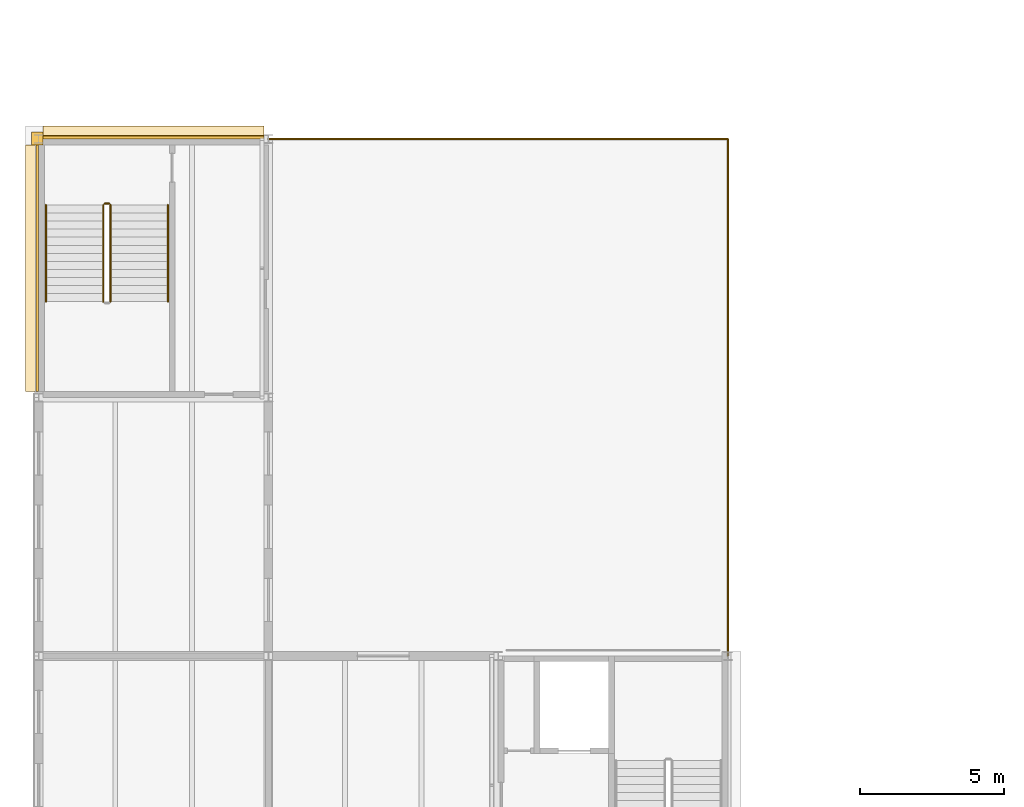
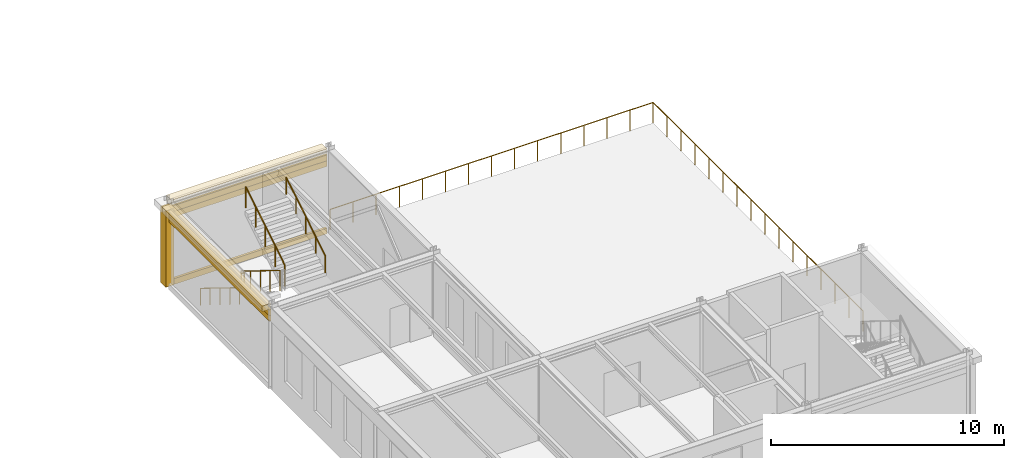
# One storey, part 128 of 149: 8 coverings, 7 railings.
"""IFC4 building model written with IfcOpenShell, lengths in metres."""

import ifcopenshell
import ifcopenshell.guid

model = None  # the IFC model being written
_history = None  # IfcOwnerHistory: only IFC2X3 demands one
_inside = {}  # id of a spatial element -> (the spatial element, [elements in it])
_under = {}  # id of a project, library or spatial element -> (it, [spatial elements below it])
_declared = {}  # id of a project -> (the project, [libraries it declares])
_typed = {}  # id of a type object -> (the type object, [elements of that type])
_made_of = {}  # id of a material, layer set ... -> (it, [elements and type objects made of it])


def new_model(schema):
    """Start an empty IFC model of exactly this schema.

    Asked for "IFC4X3", IfcOpenShell would pick the latest addendum, in which some entities
    have other attributes; the version numbers below select the first issue.
    IFC2X3 requires an IfcOwnerHistory on every rooted entity: one is made here for all.
    """
    global model, _history
    if schema == "IFC4X3":
        model = ifcopenshell.file(schema_version=(4, 3, 0, 0))
    else:
        model = ifcopenshell.file(schema=schema)
    _inside.clear()
    _under.clear()
    _declared.clear()
    _typed.clear()
    _made_of.clear()
    _history = None
    if model.schema == "IFC2X3":
        org = make("IfcOrganization", Name="unknown")
        user = make(
            "IfcPersonAndOrganization",
            ThePerson=make("IfcPerson", FamilyName="unknown"),
            TheOrganization=org,
        )
        app = make(
            "IfcApplication",
            ApplicationDeveloper=org,
            Version="unknown",
            ApplicationFullName="unknown",
            ApplicationIdentifier="unknown",
        )
        _history = make(
            "IfcOwnerHistory",
            OwningUser=user,
            OwningApplication=app,
            ChangeAction="ADDED",
            CreationDate=0,
        )
    return model


def make(cls, **values):
    """One entity of the class cls with the attributes given. An attribute that is None is left unset."""
    return model.create_entity(
        cls, **{name: value for name, value in values.items() if value is not None}
    )


def rooted(cls, **values):
    """An entity with a GlobalId (a new one), such as an element, a storey or a relation."""
    return make(cls, GlobalId=ifcopenshell.guid.new(), OwnerHistory=_history, **values)


def si_unit(unit_type, name, prefix=None):
    """IfcSIUnit, for example si_unit("LENGTHUNIT", "METRE", prefix="MILLI")."""
    return make("IfcSIUnit", UnitType=unit_type, Prefix=prefix, Name=name)


def assignment(units):
    """IfcUnitAssignment: the units of a project."""
    return None if units is None else make("IfcUnitAssignment", Units=units)


def point(xyz):
    """IfcCartesianPoint."""
    return None if xyz is None else make("IfcCartesianPoint", Coordinates=xyz)


def direction(xyz):
    """IfcDirection."""
    return None if xyz is None else make("IfcDirection", DirectionRatios=xyz)


def frame(location, z_axis=None, x_axis=None):
    """IfcAxis2Placement3D, a coordinate frame: its origin and axes. An axis left out is left unset."""
    return make(
        "IfcAxis2Placement3D",
        Location=point(location),
        Axis=direction(z_axis),
        RefDirection=direction(x_axis),
    )


def frame_2d(location, x_axis=None):
    """IfcAxis2Placement2D, a coordinate frame in the plane: its origin and x axis."""
    return make(
        "IfcAxis2Placement2D", Location=point(location), RefDirection=direction(x_axis)
    )


def origin():
    """The frame at (0, 0, 0) with its axes left unset."""
    return frame((0.0, 0.0, 0.0))


def origin_2d():
    """The frame at (0, 0) in the plane with its x axis left unset."""
    return frame_2d((0.0, 0.0))


def place(relative_to, where):
    """IfcLocalPlacement: puts the frame where relative to a parent placement (None: the world)."""
    return make(
        "IfcLocalPlacement", PlacementRelTo=relative_to, RelativePlacement=where
    )


def context(
    kind, dimensions, precision=None, world=None, true_north=None, identifier=None
):
    """IfcGeometricRepresentationContext, for example the 3D "Model" context."""
    return make(
        "IfcGeometricRepresentationContext",
        ContextIdentifier=identifier,
        ContextType=kind,
        CoordinateSpaceDimension=dimensions,
        Precision=precision,
        WorldCoordinateSystem=world,
        TrueNorth=true_north,
    )


def subcontext(parent, identifier, kind, view, scale=None):
    """IfcGeometricRepresentationSubContext, for example "Body" below "Model"."""
    return make(
        "IfcGeometricRepresentationSubContext",
        ContextIdentifier=identifier,
        ContextType=kind,
        ParentContext=parent,
        TargetScale=scale,
        TargetView=view,
    )


def project(units=None, contexts=None):
    """IfcProject with its units and contexts."""
    return rooted(
        "IfcProject",
        Name="project",
        RepresentationContexts=contexts,
        UnitsInContext=assignment(units),
    )


def spatial(cls, under=None, at=None, **own):
    """A site, building, storey or space (cls), placed at a placement, below another one or the project."""
    s = rooted(cls, ObjectPlacement=at, **own)
    if under is not None:
        _under.setdefault(under.id(), (under, []))[1].append(s)
    return s


def profile(cls, at=None, kind="AREA", **sizes):
    """A parametric profile (cls). Its sizes go by their IFC names, for example OverallWidth=200.0."""
    return make(cls, ProfileType=kind, Position=at, **sizes)


def rectangle(**sizes):
    """IfcRectangleProfileDef."""
    return profile("IfcRectangleProfileDef", **sizes)


def circle(**sizes):
    """IfcCircleProfileDef."""
    return profile("IfcCircleProfileDef", **sizes)


def extrude(swept, where, along, depth):
    """IfcExtrudedAreaSolid: the profile swept, set in the frame where, extruded along a direction by depth."""
    return make(
        "IfcExtrudedAreaSolid",
        SweptArea=swept,
        Position=where,
        ExtrudedDirection=direction(along),
        Depth=depth,
    )


def shape(context_of_items, identifier, shape_type, items):
    """IfcShapeRepresentation: the items that make up one representation, for example the "Body"."""
    return make(
        "IfcShapeRepresentation",
        ContextOfItems=context_of_items,
        RepresentationIdentifier=identifier,
        RepresentationType=shape_type,
        Items=items,
    )


def material(Name=None, Category=None):
    """IfcMaterial."""
    return make("IfcMaterial", Name=Name, Category=Category)


def layer(
    of_material, thickness, ventilated=None, Name=None, Category=None, Priority=None
):
    """IfcMaterialLayer: one layer of a wall or slab, of a material (None: an air gap)."""
    return make(
        "IfcMaterialLayer",
        Material=of_material,
        LayerThickness=thickness,
        IsVentilated=ventilated,
        Name=Name,
        Category=Category,
        Priority=Priority,
    )


def layer_set(layers, Name=None):
    """IfcMaterialLayerSet."""
    return make("IfcMaterialLayerSet", MaterialLayers=layers, LayerSetName=Name)


def made_of(thing, what):
    """Note that an element or type object is made of a material, layer set ...; save() writes the relation."""
    if what is not None:
        _made_of.setdefault(what.id(), (what, []))[1].append(thing)
    return thing


def type_object(cls, material=None, **own):
    """A type object (cls), such as IfcWallType, which elements share."""
    return made_of(rooted(cls, **own), material)


def element(
    cls,
    number,
    at=None,
    inside=None,
    cuts=None,
    type_object=None,
    material=None,
    context=None,
    identifier="Body",
    shape_type=None,
    held_by="IfcProductDefinitionShape",
    body=None,
    shapes=None,
    **own,
):
    """One element of the class cls, such as IfcWall. Its Tag is "e" and its number.

    at: its placement. inside: the storey or other place that contains it. cuts: it is an
    opening in that element (IfcRelVoidsElement). A single representation is given by context,
    identifier, shape_type and body (its items); several are given by shapes. held_by: the class
    of the entity that holds the representations. save() writes the other relations.
    """
    e = rooted(cls, Tag="e%d" % number, ObjectPlacement=at, **own)
    if body is not None:
        shapes = [shape(context, identifier, shape_type, body)]
    if shapes is not None:
        e.Representation = make(held_by, Representations=shapes)
    if inside is not None:
        _inside.setdefault(inside.id(), (inside, []))[1].append(e)
    if cuts is not None:
        rooted(
            "IfcRelVoidsElement", RelatingBuildingElement=cuts, RelatedOpeningElement=e
        )
    if type_object is not None:
        _typed.setdefault(type_object.id(), (type_object, []))[1].append(e)
    return made_of(e, material)


def aggregate(whole, parts):
    """IfcRelAggregates: a whole, such as a stair, and the parts it consists of."""
    return rooted("IfcRelAggregates", RelatingObject=whole, RelatedObjects=parts)


def save(model, path):
    """Write the relations noted so far, then the file.

    IfcRelAggregates (storeys below a building ...), IfcRelContainedInSpatialStructure (elements
    in a storey), IfcRelDefinesByType, IfcRelAssociatesMaterial and IfcRelDeclares: one each for
    every whole, place, type object, material and project.
    """
    for whole, parts in _under.values():
        aggregate(whole, parts)
    for where, things in _inside.values():
        rooted(
            "IfcRelContainedInSpatialStructure",
            RelatedElements=things,
            RelatingStructure=where,
        )
    for kind, things in _typed.values():
        rooted("IfcRelDefinesByType", RelatedObjects=things, RelatingType=kind)
    for what, things in _made_of.values():
        rooted("IfcRelAssociatesMaterial", RelatedObjects=things, RelatingMaterial=what)
    for by, libraries in _declared.values():
        rooted("IfcRelDeclares", RelatingContext=by, RelatedDefinitions=libraries)
    model.write(path)


model = new_model("IFC4")

# Units and contexts
model_context = context("Model", 3, precision=1e-05, world=origin(), true_north=direction((0.0, 1.0)))
body_context = subcontext(model_context, "Body", "Model", "MODEL_VIEW")
ifc_project = project(units=[si_unit("LENGTHUNIT", "METRE"), si_unit("AREAUNIT", "SQUARE_METRE"), si_unit("VOLUMEUNIT", "CUBIC_METRE"), si_unit("PLANEANGLEUNIT", "RADIAN"), si_unit("MASSUNIT", "GRAM", prefix="KILO")], contexts=[model_context])

# Site, building, storey
site_placement = place(None, origin())
site = spatial("IfcSite", under=ifc_project, at=site_placement, CompositionType="ELEMENT")
building_placement = place(site_placement, origin())
building = spatial("IfcBuilding", under=site, at=building_placement, Name="Kallimachos Central Library", CompositionType="ELEMENT")
storey_placement = place(building_placement, frame((0.0, 0.0, 9.89990234375)))
storey = spatial("IfcBuildingStorey", under=building, at=storey_placement, Name="L02", CompositionType="ELEMENT", Elevation=9.89990234375)

# Coverings
ifc_material_1 = material(Name="Glazed ceramic frieze, green")
ifc_layer_1 = layer(ifc_material_1, 0.10009765625)
ifc_layer_set_1 = layer_set([ifc_layer_1], Name="Glazed ceramic frieze, green")
covering_type_1 = type_object("IfcCoveringType", Name="Glazed ceramic frieze, green", PredefinedType="CLADDING", material=ifc_layer_set_1)
covering_1_placement = place(storey_placement, frame((5.949951171875, 31.5, 3.68017578125), z_axis=(0.0, 0.0, 1.0), x_axis=(1.0, 0.0, 0.0)))
element("IfcCovering", 1, at=covering_1_placement, inside=storey, type_object=covering_type_1, Name="Glazed ceramic frieze, green -L02-019", PredefinedType="CLADDING", context=body_context, shape_type="SweptSolid", body=[
    extrude(rectangle(XDim=0.10009765625, YDim=8.60009765625, at=origin_2d()), origin(), (0.0, 0.0, 1.0), 0.300048828125),
])
covering_2_placement = place(storey_placement, frame((10.0, 36.050048828125, 3.68017578125), z_axis=(0.0, 0.0, 1.0), x_axis=(1.0, 0.0, 0.0)))
element("IfcCovering", 2, at=covering_2_placement, inside=storey, type_object=covering_type_1, Name="Glazed ceramic frieze, green -L02-020", PredefinedType="CLADDING", context=body_context, shape_type="SweptSolid", body=[
    extrude(rectangle(XDim=7.699951171875, YDim=0.10009765625, at=origin_2d()), origin(), (0.0, 0.0, 1.0), 0.300048828125),
])
ifc_material_2 = material(Name="Glazed ceramic frieze, ochre")
ifc_layer_2 = layer(ifc_material_2, 0.10009765625)
ifc_layer_set_2 = layer_set([ifc_layer_2], Name="Glazed ceramic frieze, ochre")
covering_type_2 = type_object("IfcCoveringType", Name="Glazed ceramic frieze, ochre", PredefinedType="CLADDING", material=ifc_layer_set_2)
covering_3_placement = place(storey_placement, frame((5.949951171875, 31.5, 3.3798828125), z_axis=(0.0, 0.0, 1.0), x_axis=(1.0, 0.0, 0.0)))
element("IfcCovering", 3, at=covering_3_placement, inside=storey, type_object=covering_type_2, Name="Glazed ceramic frieze, ochre -L02-019", PredefinedType="CLADDING", context=body_context, shape_type="SweptSolid", body=[
    extrude(rectangle(XDim=0.10009765625, YDim=8.60009765625, at=origin_2d()), origin(), (0.0, 0.0, 1.0), 0.300048828125),
])
covering_4_placement = place(storey_placement, frame((10.0, 36.050048828125, 3.3798828125), z_axis=(0.0, 0.0, 1.0), x_axis=(1.0, 0.0, 0.0)))
element("IfcCovering", 4, at=covering_4_placement, inside=storey, type_object=covering_type_2, Name="Glazed ceramic frieze, ochre -L02-020", PredefinedType="CLADDING", context=body_context, shape_type="SweptSolid", body=[
    extrude(rectangle(XDim=7.699951171875, YDim=0.10009765625, at=origin_2d()), origin(), (0.0, 0.0, 1.0), 0.300048828125),
])

# Railings
ifc_material_3 = material(Name="Wrought iron")
railing_type_1 = type_object("IfcRailingType", Name="Stair guard", PredefinedType="GUARDRAIL", material=ifc_material_3)
railing_1_placement = place(storey_placement, frame((8.25, 33.699951171875, 0.173095703125)))
element("IfcRailing", 5, at=railing_1_placement, inside=storey, type_object=railing_type_1, Name="L02 ST18 stair guard 1", PredefinedType="GUARDRAIL", context=body_context, shape_type="SweptSolid", body=[
    extrude(circle(Radius=0.02392578125, at=origin_2d()), frame((0.0, 0.0, 1.076171875), z_axis=(0.0, -0.850606129759, 0.525803396734), x_axis=(1.0, 0.0, 0.0)), (0.0, 0.0, 1.0), 3.949951171875),
    extrude(circle(Radius=0.02099609375, at=origin_2d()), origin(), (0.0, 0.0, 1.0), 1.052001953125),
    extrude(circle(Radius=0.02099609375, at=origin_2d()), frame((0.0, -0.83984375, 0.519287109375)), (0.0, 0.0, 1.0), 1.052001953125),
    extrude(circle(Radius=0.02099609375, at=origin_2d()), frame((0.0, -1.679931640625, 1.03857421875)), (0.0, 0.0, 1.0), 1.052001953125),
    extrude(circle(Radius=0.02099609375, at=origin_2d()), frame((0.0, -2.52001953125, 1.5576171875)), (0.0, 0.0, 1.0), 1.052001953125),
    extrude(circle(Radius=0.02099609375, at=origin_2d()), frame((0.0, -3.35986328125, 2.076904296875)), (0.0, 0.0, 1.0), 1.052001953125),
])
railing_2_placement = place(storey_placement, frame((8.5, 30.340087890625, 2.423095703125)))
element("IfcRailing", 6, at=railing_2_placement, inside=storey, type_object=railing_type_1, Name="L02 ST18 stair guard 3", PredefinedType="GUARDRAIL", context=body_context, shape_type="SweptSolid", body=[
    extrude(circle(Radius=0.02392578125, at=origin_2d()), frame((0.0, 0.0, 1.076171875), z_axis=(0.0, 0.850606129759, 0.525803396734), x_axis=(-1.0, 0.0, 0.0)), (0.0, 0.0, 1.0), 3.949951171875),
    extrude(circle(Radius=0.02099609375, at=origin_2d()), origin(), (0.0, 0.0, 1.0), 1.052001953125),
    extrude(circle(Radius=0.02099609375, at=origin_2d()), frame((0.0, 0.83984375, 0.519287109375)), (0.0, 0.0, 1.0), 1.052001953125),
    extrude(circle(Radius=0.02099609375, at=origin_2d()), frame((0.0, 1.679931640625, 1.03857421875)), (0.0, 0.0, 1.0), 1.052001953125),
    extrude(circle(Radius=0.02099609375, at=origin_2d()), frame((0.0, 2.52001953125, 1.5576171875)), (0.0, 0.0, 1.0), 1.052001953125),
    extrude(circle(Radius=0.02099609375, at=origin_2d()), frame((0.0, 3.35986328125, 2.076904296875)), (0.0, 0.0, 1.0), 1.052001953125),
])
railing_3_placement = place(storey_placement, frame((8.300048828125, 33.75, 0.0)))
element("IfcRailing", 7, at=railing_3_placement, inside=storey, type_object=railing_type_1, Name="L02 ST18 stair guard 4", PredefinedType="GUARDRAIL", context=body_context, shape_type="SweptSolid", body=[
    extrude(circle(Radius=0.02392578125, at=origin_2d()), frame((0.0, 0.0, 1.076171875), z_axis=(1.0, 0.0, 0.0), x_axis=(0.0, 1.0, 0.0)), (0.0, 0.0, 1.0), 0.14990234375),
    extrude(circle(Radius=0.02099609375, at=origin_2d()), origin(), (0.0, 0.0, 1.0), 1.052001953125),
    extrude(circle(Radius=0.02099609375, at=origin_2d()), frame((0.14990234375, 0.0, 0.0)), (0.0, 0.0, 1.0), 1.052001953125),
])
ifc_material_4 = material(Name="Wrought iron")
railing_type_2 = type_object("IfcRailingType", Name="Stair handrail", PredefinedType="HANDRAIL", material=ifc_material_4)
railing_4_placement = place(storey_placement, frame((6.25, 33.699951171875, 0.173095703125)))
element("IfcRailing", 8, at=railing_4_placement, inside=storey, type_object=railing_type_2, Name="L02 ST18 stair handrail 1", PredefinedType="HANDRAIL", context=body_context, shape_type="SweptSolid", body=[
    extrude(circle(Radius=0.02392578125, at=origin_2d()), frame((0.0, 0.0, 0.8759765625), z_axis=(0.0, -0.850606129759, 0.525803396734), x_axis=(1.0, 0.0, 0.0)), (0.0, 0.0, 1.0), 3.949951171875),
    extrude(circle(Radius=0.02099609375, at=origin_2d()), origin(), (0.0, 0.0, 1.0), 0.851806640625),
    extrude(circle(Radius=0.02099609375, at=origin_2d()), frame((0.0, -0.83984375, 0.519287109375)), (0.0, 0.0, 1.0), 0.851806640625),
    extrude(circle(Radius=0.02099609375, at=origin_2d()), frame((0.0, -1.679931640625, 1.03857421875)), (0.0, 0.0, 1.0), 0.851806640625),
    extrude(circle(Radius=0.02099609375, at=origin_2d()), frame((0.0, -2.52001953125, 1.5576171875)), (0.0, 0.0, 1.0), 0.851806640625),
    extrude(circle(Radius=0.02099609375, at=origin_2d()), frame((0.0, -3.35986328125, 2.076904296875)), (0.0, 0.0, 1.0), 0.851806640625),
])
railing_5_placement = place(storey_placement, frame((10.5, 30.340087890625, 2.423095703125)))
element("IfcRailing", 9, at=railing_5_placement, inside=storey, type_object=railing_type_2, Name="L02 ST18 stair handrail 2", PredefinedType="HANDRAIL", context=body_context, shape_type="SweptSolid", body=[
    extrude(circle(Radius=0.02392578125, at=origin_2d()), frame((0.0, 0.0, 0.8759765625), z_axis=(0.0, 0.850606129759, 0.525803396734), x_axis=(-1.0, 0.0, 0.0)), (0.0, 0.0, 1.0), 3.949951171875),
    extrude(circle(Radius=0.02099609375, at=origin_2d()), origin(), (0.0, 0.0, 1.0), 0.851806640625),
    extrude(circle(Radius=0.02099609375, at=origin_2d()), frame((0.0, 0.83984375, 0.519287109375)), (0.0, 0.0, 1.0), 0.851806640625),
    extrude(circle(Radius=0.02099609375, at=origin_2d()), frame((0.0, 1.679931640625, 1.03857421875)), (0.0, 0.0, 1.0), 0.851806640625),
    extrude(circle(Radius=0.02099609375, at=origin_2d()), frame((0.0, 2.52001953125, 1.5576171875)), (0.0, 0.0, 1.0), 0.851806640625),
    extrude(circle(Radius=0.02099609375, at=origin_2d()), frame((0.0, 3.35986328125, 2.076904296875)), (0.0, 0.0, 1.0), 0.851806640625),
])

# Coverings
ifc_material_5 = material(Name="Pentelic marble attic moulding", Category="masonry")
ifc_layer_3 = layer(ifc_material_5, 0.1201171875)
ifc_layer_set_3 = layer_set([ifc_layer_3], Name="Stone attic moulding 300")
covering_type_3 = type_object("IfcCoveringType", Name="Stone attic moulding 300", PredefinedType="MOLDING", material=ifc_layer_set_3)
covering_5_placement = place(storey_placement, frame((10.0, 36.06005859375, -0.14990234375), z_axis=(0.0, 0.0, 1.0), x_axis=(1.0, 0.0, 0.0)))
element("IfcCovering", 10, at=covering_5_placement, inside=storey, type_object=covering_type_3, Name="Stone attic moulding 300 -L02-020", PredefinedType="MOLDING", context=body_context, shape_type="SweptSolid", body=[
    extrude(rectangle(XDim=7.699951171875, YDim=0.1201171875, at=origin_2d()), origin(), (0.0, 0.0, 1.0), 0.300048828125),
])
ifc_material_6 = material(Name="Pentelic marble cornice", Category="masonry")
ifc_layer_4 = layer(ifc_material_6, 0.449951171875)
ifc_layer_set_4 = layer_set([ifc_layer_4], Name="Stone cornice 450")
covering_type_4 = type_object("IfcCoveringType", Name="Stone cornice 450", PredefinedType="MOLDING", material=ifc_layer_set_4)
covering_6_placement = place(storey_placement, frame((5.77490234375, 31.5, 4.0), z_axis=(0.0, 0.0, 1.0), x_axis=(1.0, 0.0, 0.0)))
element("IfcCovering", 11, at=covering_6_placement, inside=storey, type_object=covering_type_4, Name="Stone cornice 450 -L02-019", PredefinedType="MOLDING", context=body_context, shape_type="SweptSolid", body=[
    extrude(rectangle(XDim=0.449951171875, YDim=8.60009765625, at=origin_2d()), origin(), (0.0, 0.0, 1.0), 0.300048828125),
])
covering_7_placement = place(storey_placement, frame((10.0, 36.22509765625, 4.0), z_axis=(0.0, 0.0, 1.0), x_axis=(1.0, 0.0, 0.0)))
element("IfcCovering", 12, at=covering_7_placement, inside=storey, type_object=covering_type_4, Name="Stone cornice 450 -L02-020", PredefinedType="MOLDING", context=body_context, shape_type="SweptSolid", body=[
    extrude(rectangle(XDim=7.699951171875, YDim=0.449951171875, at=origin_2d()), origin(), (0.0, 0.0, 1.0), 0.300048828125),
])
ifc_material_7 = material(Name="Pentelic marble pilaster", Category="masonry")
ifc_layer_5 = layer(ifc_material_7, 0.25)
ifc_layer_set_5 = layer_set([ifc_layer_5], Name="Stone pilaster 250")
covering_type_5 = type_object("IfcCoveringType", Name="Stone pilaster 250", PredefinedType="CLADDING", material=ifc_layer_set_5)
covering_8_placement = place(storey_placement, frame((5.949951171875, 36.02490234375, 0.0), z_axis=(0.0, 0.0, 1.0), x_axis=(1.0, 0.0, 0.0)))
element("IfcCovering", 13, at=covering_8_placement, inside=storey, type_object=covering_type_5, Name="Stone pilaster 250 corner", PredefinedType="CLADDING", context=body_context, shape_type="SweptSolid", body=[
    extrude(rectangle(XDim=0.39990234375, YDim=0.449951171875, at=origin_2d()), origin(), (0.0, 0.0, 1.0), 4.0),
])

# Railings
ifc_material_8 = material(Name="Steel S355J2", Category="steel")
railing_type_3 = type_object("IfcRailingType", Name="Wrought-iron guard 1100", PredefinedType="GUARDRAIL", material=ifc_material_8)
railing_6_placement = place(storey_placement, frame((14.0, 36.0, 0.0)))
element("IfcRailing", 14, at=railing_6_placement, inside=storey, type_object=railing_type_3, Name="Garden guard north", PredefinedType="GUARDRAIL", context=body_context, shape_type="SweptSolid", body=[
    extrude(circle(Radius=0.02392578125, at=origin_2d()), frame((0.0, 0.0, 1.076171875), z_axis=(1.0, 0.0, 0.0), x_axis=(0.0, 1.0, 0.0)), (0.0, 0.0, 1.0), 16.0),
    extrude(circle(Radius=0.02099609375, at=origin_2d()), origin(), (0.0, 0.0, 1.0), 1.052001953125),
    extrude(circle(Radius=0.02099609375, at=origin_2d()), frame((1.142822265625, 0.0, 0.0)), (0.0, 0.0, 1.0), 1.052001953125),
    extrude(circle(Radius=0.02099609375, at=origin_2d()), frame((2.28564453125, 0.0, 0.0)), (0.0, 0.0, 1.0), 1.052001953125),
    extrude(circle(Radius=0.02099609375, at=origin_2d()), frame((3.428466796875, 0.0, 0.0)), (0.0, 0.0, 1.0), 1.052001953125),
    extrude(circle(Radius=0.02099609375, at=origin_2d()), frame((4.571533203125, 0.0, 0.0)), (0.0, 0.0, 1.0), 1.052001953125),
    extrude(circle(Radius=0.02099609375, at=origin_2d()), frame((5.71435546875, 0.0, 0.0)), (0.0, 0.0, 1.0), 1.052001953125),
    extrude(circle(Radius=0.02099609375, at=origin_2d()), frame((6.857177734375, 0.0, 0.0)), (0.0, 0.0, 1.0), 1.052001953125),
    extrude(circle(Radius=0.02099609375, at=origin_2d()), frame((8.0, 0.0, 0.0)), (0.0, 0.0, 1.0), 1.052001953125),
    extrude(circle(Radius=0.02099609375, at=origin_2d()), frame((9.142822265625, 0.0, 0.0)), (0.0, 0.0, 1.0), 1.052001953125),
    extrude(circle(Radius=0.02099609375, at=origin_2d()), frame((10.28564453125, 0.0, 0.0)), (0.0, 0.0, 1.0), 1.052001953125),
    extrude(circle(Radius=0.02099609375, at=origin_2d()), frame((11.428466796875, 0.0, 0.0)), (0.0, 0.0, 1.0), 1.052001953125),
    extrude(circle(Radius=0.02099609375, at=origin_2d()), frame((12.571533203125, 0.0, 0.0)), (0.0, 0.0, 1.0), 1.052001953125),
    extrude(circle(Radius=0.02099609375, at=origin_2d()), frame((13.71435546875, 0.0, 0.0)), (0.0, 0.0, 1.0), 1.052001953125),
    extrude(circle(Radius=0.02099609375, at=origin_2d()), frame((14.857177734375, 0.0, 0.0)), (0.0, 0.0, 1.0), 1.052001953125),
    extrude(circle(Radius=0.02099609375, at=origin_2d()), frame((16.0, 0.0, 0.0)), (0.0, 0.0, 1.0), 1.052001953125),
])
railing_7_placement = place(storey_placement, frame((30.0, 36.0, 0.0)))
element("IfcRailing", 15, at=railing_7_placement, inside=storey, type_object=railing_type_3, Name="Garden guard east", PredefinedType="GUARDRAIL", context=body_context, shape_type="SweptSolid", body=[
    extrude(circle(Radius=0.02392578125, at=origin_2d()), frame((0.0, 0.0, 1.076171875), z_axis=(0.0, -1.0, 0.0), x_axis=(1.0, 0.0, 0.0)), (0.0, 0.0, 1.0), 18.0),
    extrude(circle(Radius=0.02099609375, at=origin_2d()), origin(), (0.0, 0.0, 1.0), 1.052001953125),
    extrude(circle(Radius=0.02099609375, at=origin_2d()), frame((0.0, -1.199951171875, 0.0)), (0.0, 0.0, 1.0), 1.052001953125),
    extrude(circle(Radius=0.02099609375, at=origin_2d()), frame((0.0, -2.39990234375, 0.0)), (0.0, 0.0, 1.0), 1.052001953125),
    extrude(circle(Radius=0.02099609375, at=origin_2d()), frame((0.0, -3.60009765625, 0.0)), (0.0, 0.0, 1.0), 1.052001953125),
    extrude(circle(Radius=0.02099609375, at=origin_2d()), frame((0.0, -4.800048828125, 0.0)), (0.0, 0.0, 1.0), 1.052001953125),
    extrude(circle(Radius=0.02099609375, at=origin_2d()), frame((0.0, -6.0, 0.0)), (0.0, 0.0, 1.0), 1.052001953125),
    extrude(circle(Radius=0.02099609375, at=origin_2d()), frame((0.0, -7.199951171875, 0.0)), (0.0, 0.0, 1.0), 1.052001953125),
    extrude(circle(Radius=0.02099609375, at=origin_2d()), frame((0.0, -8.39990234375, 0.0)), (0.0, 0.0, 1.0), 1.052001953125),
    extrude(circle(Radius=0.02099609375, at=origin_2d()), frame((0.0, -9.60009765625, 0.0)), (0.0, 0.0, 1.0), 1.052001953125),
    extrude(circle(Radius=0.02099609375, at=origin_2d()), frame((0.0, -10.800048828125, 0.0)), (0.0, 0.0, 1.0), 1.052001953125),
    extrude(circle(Radius=0.02099609375, at=origin_2d()), frame((0.0, -12.0, 0.0)), (0.0, 0.0, 1.0), 1.052001953125),
    extrude(circle(Radius=0.02099609375, at=origin_2d()), frame((0.0, -13.199951171875, 0.0)), (0.0, 0.0, 1.0), 1.052001953125),
    extrude(circle(Radius=0.02099609375, at=origin_2d()), frame((0.0, -14.39990234375, 0.0)), (0.0, 0.0, 1.0), 1.052001953125),
    extrude(circle(Radius=0.02099609375, at=origin_2d()), frame((0.0, -15.60009765625, 0.0)), (0.0, 0.0, 1.0), 1.052001953125),
    extrude(circle(Radius=0.02099609375, at=origin_2d()), frame((0.0, -16.800048828125, 0.0)), (0.0, 0.0, 1.0), 1.052001953125),
    extrude(circle(Radius=0.02099609375, at=origin_2d()), frame((0.0, -18.0, 0.0)), (0.0, 0.0, 1.0), 1.052001953125),
])

save(model, "model.ifc")
